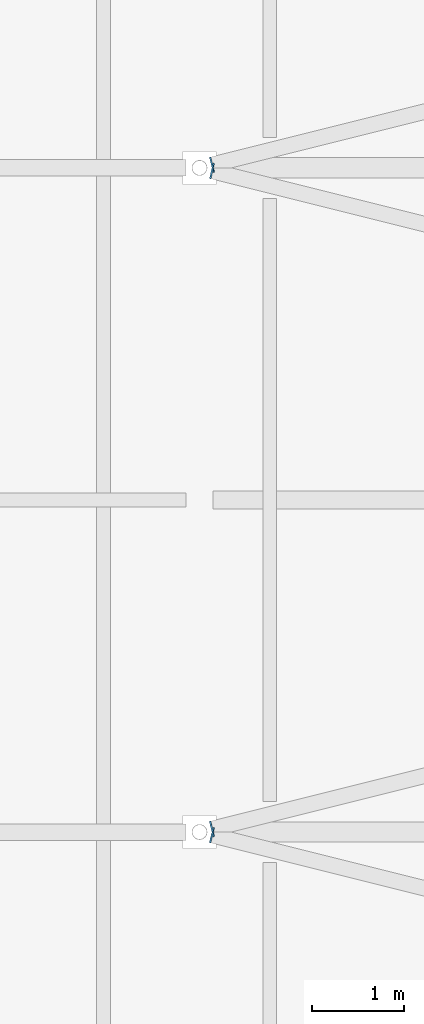
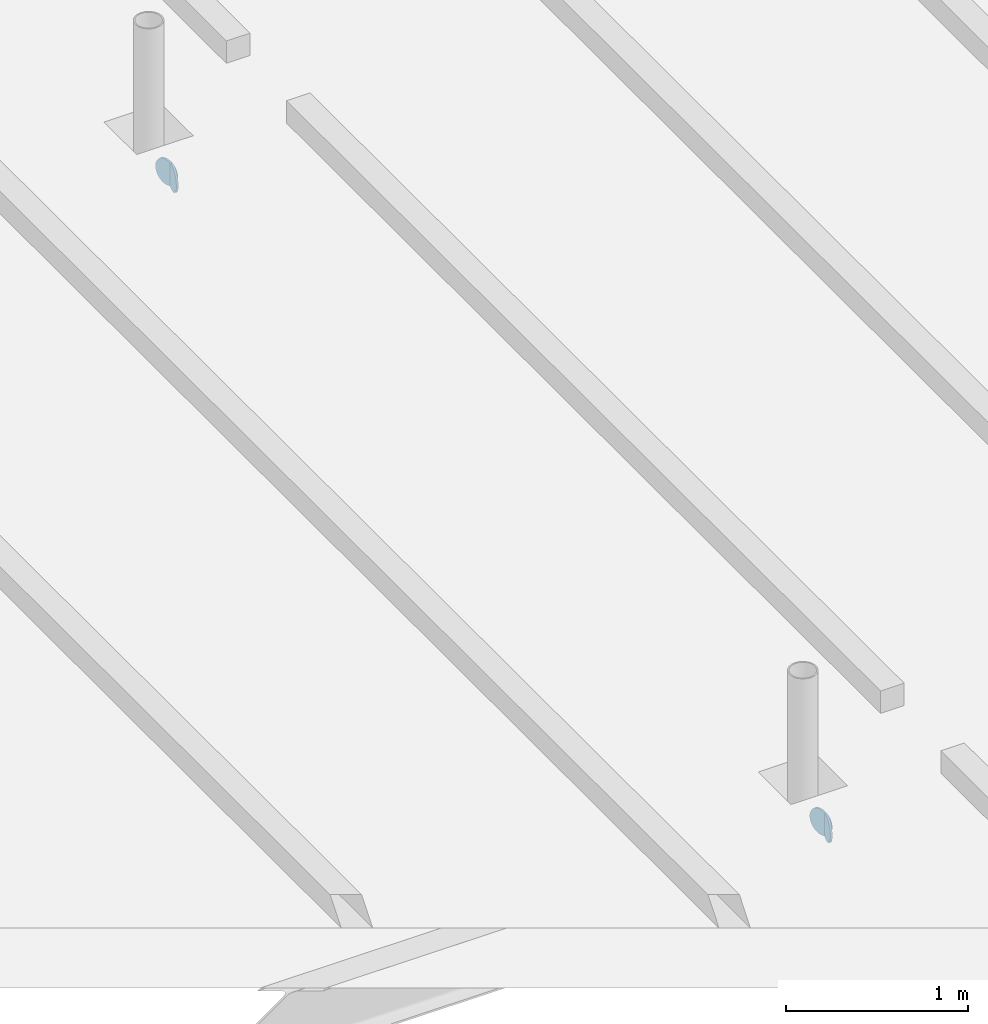
# One storey, part 77 of 120: 4 discrete accessories.
"""IFC4 building model written with IfcOpenShell, lengths in metres."""

import ifcopenshell
import ifcopenshell.guid

model = None  # the IFC model being written
_history = None  # IfcOwnerHistory: only IFC2X3 demands one
_inside = {}  # id of a spatial element -> (the spatial element, [elements in it])
_under = {}  # id of a project, library or spatial element -> (it, [spatial elements below it])
_declared = {}  # id of a project -> (the project, [libraries it declares])
_typed = {}  # id of a type object -> (the type object, [elements of that type])
_made_of = {}  # id of a material, layer set ... -> (it, [elements and type objects made of it])


def new_model(schema):
    """Start an empty IFC model of exactly this schema.

    Asked for "IFC4X3", IfcOpenShell would pick the latest addendum, in which some entities
    have other attributes; the version numbers below select the first issue.
    IFC2X3 requires an IfcOwnerHistory on every rooted entity: one is made here for all.
    """
    global model, _history
    if schema == "IFC4X3":
        model = ifcopenshell.file(schema_version=(4, 3, 0, 0))
    else:
        model = ifcopenshell.file(schema=schema)
    _inside.clear()
    _under.clear()
    _declared.clear()
    _typed.clear()
    _made_of.clear()
    _history = None
    if model.schema == "IFC2X3":
        org = make("IfcOrganization", Name="unknown")
        user = make(
            "IfcPersonAndOrganization",
            ThePerson=make("IfcPerson", FamilyName="unknown"),
            TheOrganization=org,
        )
        app = make(
            "IfcApplication",
            ApplicationDeveloper=org,
            Version="unknown",
            ApplicationFullName="unknown",
            ApplicationIdentifier="unknown",
        )
        _history = make(
            "IfcOwnerHistory",
            OwningUser=user,
            OwningApplication=app,
            ChangeAction="ADDED",
            CreationDate=0,
        )
    return model


def make(cls, **values):
    """One entity of the class cls with the attributes given. An attribute that is None is left unset."""
    return model.create_entity(
        cls, **{name: value for name, value in values.items() if value is not None}
    )


def rooted(cls, **values):
    """An entity with a GlobalId (a new one), such as an element, a storey or a relation."""
    return make(cls, GlobalId=ifcopenshell.guid.new(), OwnerHistory=_history, **values)


def si_unit(unit_type, name, prefix=None):
    """IfcSIUnit, for example si_unit("LENGTHUNIT", "METRE", prefix="MILLI")."""
    return make("IfcSIUnit", UnitType=unit_type, Prefix=prefix, Name=name)


def assignment(units):
    """IfcUnitAssignment: the units of a project."""
    return None if units is None else make("IfcUnitAssignment", Units=units)


def point(xyz):
    """IfcCartesianPoint."""
    return None if xyz is None else make("IfcCartesianPoint", Coordinates=xyz)


def direction(xyz):
    """IfcDirection."""
    return None if xyz is None else make("IfcDirection", DirectionRatios=xyz)


def frame(location, z_axis=None, x_axis=None):
    """IfcAxis2Placement3D, a coordinate frame: its origin and axes. An axis left out is left unset."""
    return make(
        "IfcAxis2Placement3D",
        Location=point(location),
        Axis=direction(z_axis),
        RefDirection=direction(x_axis),
    )


def frame_2d(location, x_axis=None):
    """IfcAxis2Placement2D, a coordinate frame in the plane: its origin and x axis."""
    return make(
        "IfcAxis2Placement2D", Location=point(location), RefDirection=direction(x_axis)
    )


def origin():
    """The frame at (0, 0, 0) with its axes left unset."""
    return frame((0.0, 0.0, 0.0))


def origin_2d():
    """The frame at (0, 0) in the plane with its x axis left unset."""
    return frame_2d((0.0, 0.0))


def place(relative_to, where):
    """IfcLocalPlacement: puts the frame where relative to a parent placement (None: the world)."""
    return make(
        "IfcLocalPlacement", PlacementRelTo=relative_to, RelativePlacement=where
    )


def context(
    kind, dimensions, precision=None, world=None, true_north=None, identifier=None
):
    """IfcGeometricRepresentationContext, for example the 3D "Model" context."""
    return make(
        "IfcGeometricRepresentationContext",
        ContextIdentifier=identifier,
        ContextType=kind,
        CoordinateSpaceDimension=dimensions,
        Precision=precision,
        WorldCoordinateSystem=world,
        TrueNorth=true_north,
    )


def subcontext(parent, identifier, kind, view, scale=None):
    """IfcGeometricRepresentationSubContext, for example "Body" below "Model"."""
    return make(
        "IfcGeometricRepresentationSubContext",
        ContextIdentifier=identifier,
        ContextType=kind,
        ParentContext=parent,
        TargetScale=scale,
        TargetView=view,
    )


def project(units=None, contexts=None):
    """IfcProject with its units and contexts."""
    return rooted(
        "IfcProject",
        Name="project",
        RepresentationContexts=contexts,
        UnitsInContext=assignment(units),
    )


def spatial(cls, under=None, at=None, **own):
    """A site, building, storey or space (cls), placed at a placement, below another one or the project."""
    s = rooted(cls, ObjectPlacement=at, **own)
    if under is not None:
        _under.setdefault(under.id(), (under, []))[1].append(s)
    return s


def profile(cls, at=None, kind="AREA", **sizes):
    """A parametric profile (cls). Its sizes go by their IFC names, for example OverallWidth=200.0."""
    return make(cls, ProfileType=kind, Position=at, **sizes)


def circle(**sizes):
    """IfcCircleProfileDef."""
    return profile("IfcCircleProfileDef", **sizes)


def extrude(swept, where, along, depth):
    """IfcExtrudedAreaSolid: the profile swept, set in the frame where, extruded along a direction by depth."""
    return make(
        "IfcExtrudedAreaSolid",
        SweptArea=swept,
        Position=where,
        ExtrudedDirection=direction(along),
        Depth=depth,
    )


def shape(context_of_items, identifier, shape_type, items):
    """IfcShapeRepresentation: the items that make up one representation, for example the "Body"."""
    return make(
        "IfcShapeRepresentation",
        ContextOfItems=context_of_items,
        RepresentationIdentifier=identifier,
        RepresentationType=shape_type,
        Items=items,
    )


def material(Name=None, Category=None):
    """IfcMaterial."""
    return make("IfcMaterial", Name=Name, Category=Category)


def layer(
    of_material, thickness, ventilated=None, Name=None, Category=None, Priority=None
):
    """IfcMaterialLayer: one layer of a wall or slab, of a material (None: an air gap)."""
    return make(
        "IfcMaterialLayer",
        Material=of_material,
        LayerThickness=thickness,
        IsVentilated=ventilated,
        Name=Name,
        Category=Category,
        Priority=Priority,
    )


def layer_set(layers, Name=None):
    """IfcMaterialLayerSet."""
    return make("IfcMaterialLayerSet", MaterialLayers=layers, LayerSetName=Name)


def made_of(thing, what):
    """Note that an element or type object is made of a material, layer set ...; save() writes the relation."""
    if what is not None:
        _made_of.setdefault(what.id(), (what, []))[1].append(thing)
    return thing


def type_object(cls, material=None, **own):
    """A type object (cls), such as IfcWallType, which elements share."""
    return made_of(rooted(cls, **own), material)


def element(
    cls,
    number,
    at=None,
    inside=None,
    cuts=None,
    type_object=None,
    material=None,
    context=None,
    identifier="Body",
    shape_type=None,
    held_by="IfcProductDefinitionShape",
    body=None,
    shapes=None,
    **own,
):
    """One element of the class cls, such as IfcWall. Its Tag is "e" and its number.

    at: its placement. inside: the storey or other place that contains it. cuts: it is an
    opening in that element (IfcRelVoidsElement). A single representation is given by context,
    identifier, shape_type and body (its items); several are given by shapes. held_by: the class
    of the entity that holds the representations. save() writes the other relations.
    """
    e = rooted(cls, Tag="e%d" % number, ObjectPlacement=at, **own)
    if body is not None:
        shapes = [shape(context, identifier, shape_type, body)]
    if shapes is not None:
        e.Representation = make(held_by, Representations=shapes)
    if inside is not None:
        _inside.setdefault(inside.id(), (inside, []))[1].append(e)
    if cuts is not None:
        rooted(
            "IfcRelVoidsElement", RelatingBuildingElement=cuts, RelatedOpeningElement=e
        )
    if type_object is not None:
        _typed.setdefault(type_object.id(), (type_object, []))[1].append(e)
    return made_of(e, material)


def aggregate(whole, parts):
    """IfcRelAggregates: a whole, such as a stair, and the parts it consists of."""
    return rooted("IfcRelAggregates", RelatingObject=whole, RelatedObjects=parts)


def save(model, path):
    """Write the relations noted so far, then the file.

    IfcRelAggregates (storeys below a building ...), IfcRelContainedInSpatialStructure (elements
    in a storey), IfcRelDefinesByType, IfcRelAssociatesMaterial and IfcRelDeclares: one each for
    every whole, place, type object, material and project.
    """
    for whole, parts in _under.values():
        aggregate(whole, parts)
    for where, things in _inside.values():
        rooted(
            "IfcRelContainedInSpatialStructure",
            RelatedElements=things,
            RelatingStructure=where,
        )
    for kind, things in _typed.values():
        rooted("IfcRelDefinesByType", RelatedObjects=things, RelatingType=kind)
    for what, things in _made_of.values():
        rooted("IfcRelAssociatesMaterial", RelatedObjects=things, RelatingMaterial=what)
    for by, libraries in _declared.values():
        rooted("IfcRelDeclares", RelatingContext=by, RelatedDefinitions=libraries)
    model.write(path)


model = new_model("IFC4")

# Units and contexts
model_context = context("Model", 3, precision=1e-05, world=origin(), true_north=direction((0.0, 1.0)))
body_context = subcontext(model_context, "Body", "Model", "MODEL_VIEW")
ifc_project = project(units=[si_unit("LENGTHUNIT", "METRE"), si_unit("AREAUNIT", "SQUARE_METRE"), si_unit("VOLUMEUNIT", "CUBIC_METRE"), si_unit("PLANEANGLEUNIT", "RADIAN"), si_unit("MASSUNIT", "GRAM", prefix="KILO")], contexts=[model_context])

# Site, building, storey
site_placement = place(None, origin())
site = spatial("IfcSite", under=ifc_project, at=site_placement, CompositionType="ELEMENT")
building_placement = place(site_placement, origin())
building = spatial("IfcBuilding", under=site, at=building_placement, Name="Kupolbacken Congress Centre", CompositionType="ELEMENT")
storey_placement = place(building_placement, frame((0.0, 0.0, 21.60009765625)))
storey = spatial("IfcBuildingStorey", under=building, at=storey_placement, Name="L06", CompositionType="ELEMENT", Elevation=21.60009765625)

# Discrete accessories
ifc_material = material(Name="Steel S355", Category="steel")
ifc_layer = layer(ifc_material, 0.011962890625)
ifc_layer_set = layer_set([ifc_layer], Name="Steel S355")
discrete_accessory_type = type_object("IfcDiscreteAccessoryType", Name="EC2 tube end cap plate 168 dia x 12", PredefinedType="BRACKET", material=ifc_layer_set)
for number, where, z_axis, x_axis, name in (
    (1, (93.74072265625, 75.564697265625, -0.084228515625), (-0.970142500145, 0.242535625036, 0.0), (-0.242535625036, -0.970142500145, 0.0), "End cap plate HR/RB/01-08 B"),
    (2, (93.74072265625, 75.63525390625, -0.084228515625), (-0.970142500145, -0.242535625036, 0.0), (0.242535625036, -0.970142500145, 0.0), "End cap plate HR/RB/01-09 A"),
    (3, (93.74072265625, 82.764892578125, -0.084228515625), (-0.974732318528, 0.223376156329, 0.0), (-0.223376156329, -0.974732318528, 0.0), "End cap plate HR/RB/01-10 B"),
    (4, (93.74072265625, 82.835205078125, -0.084228515625), (-0.970142500145, -0.242535625036, 0.0), (0.242535625036, -0.970142500145, 0.0), "End cap plate HR/RB/01-11 A"),
):
    element("IfcDiscreteAccessory", number, at=place(storey_placement, frame(where, z_axis=z_axis, x_axis=x_axis)), inside=storey, type_object=discrete_accessory_type, Name=name, PredefinedType="BRACKET", context=body_context, shape_type="SweptSolid", body=[
        extrude(circle(Radius=0.084228515625, at=origin_2d()), origin(), (0.0, 0.0, 1.0), 0.011962890625),
    ])

save(model, "model.ifc")
